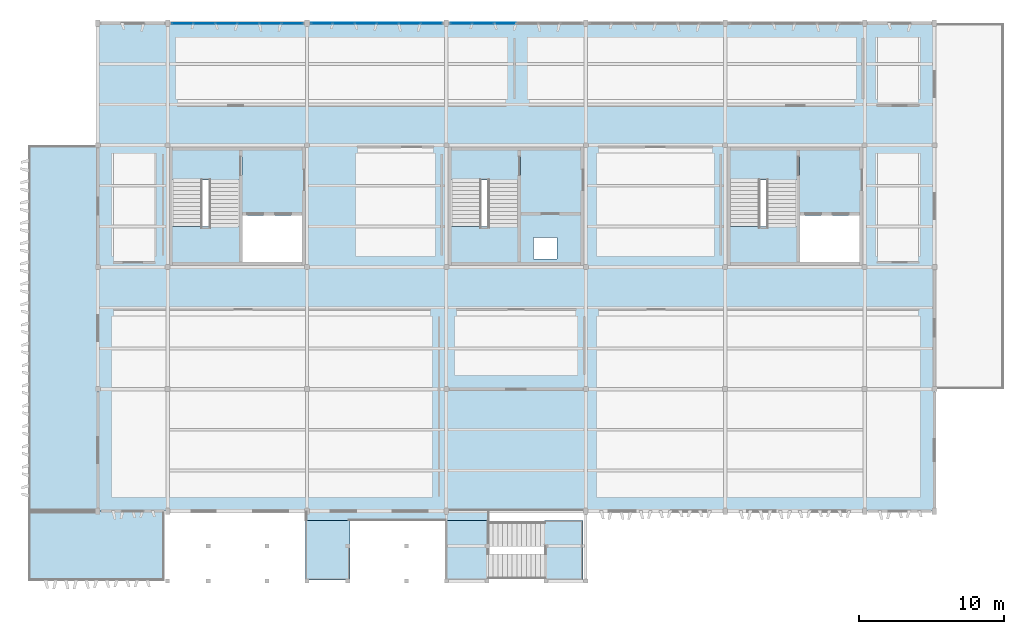
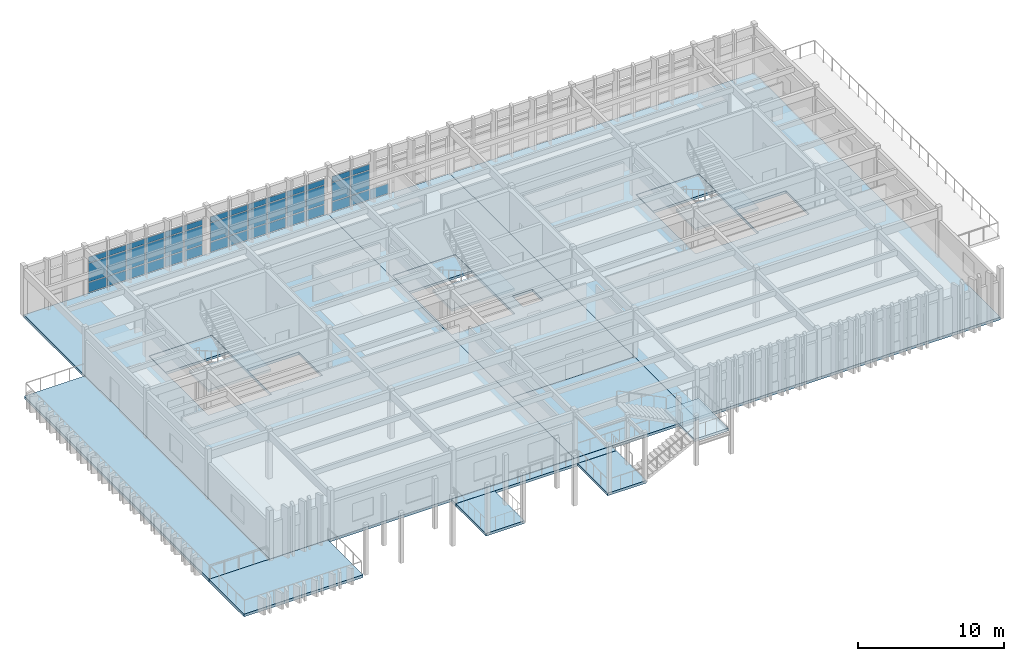
# One storey, part 6 of 14: 43 plates, 16 slabs, 7 elements without a shape of their own.
"""IFC4 building model written with IfcOpenShell, lengths in metres."""

from ifc_helpers import new_model, si_unit, direction, frame, origin, origin_2d, place, context, subcontext, project, spatial, polyline, rectangle, outline, extrude, material, layer, layer_set, type_object, element, aggregate, save


model = new_model("IFC4")

# Units and contexts
model_context = context("Model", 3, precision=1e-05, world=origin(), true_north=direction((0.0, 1.0)))
body_context = subcontext(model_context, "Body", "Model", "MODEL_VIEW")
ifc_project = project(units=[si_unit("LENGTHUNIT", "METRE"), si_unit("AREAUNIT", "SQUARE_METRE"), si_unit("VOLUMEUNIT", "CUBIC_METRE"), si_unit("PLANEANGLEUNIT", "RADIAN"), si_unit("MASSUNIT", "GRAM", prefix="KILO")], contexts=[model_context])

# Site, building, storey
site_placement = place(None, origin())
site = spatial("IfcSite", under=ifc_project, at=site_placement, CompositionType="ELEMENT")
building_placement = place(site_placement, origin())
building = spatial("IfcBuilding", under=site, at=building_placement, Name="Kolvemor Railside Polytechnic", CompositionType="ELEMENT")
storey_placement = place(building_placement, frame((0.0, 0.0, 22.800048828125)))
storey = spatial("IfcBuildingStorey", under=building, at=storey_placement, Name="L05", CompositionType="ELEMENT", Elevation=22.800048828125)

# Curtain wall, plates
ifc_material_1 = material(Name="Anodised marine aluminium and laminated low-E glass", Category="aluminium")
ifc_layer_1 = layer(ifc_material_1, 0.179931640625, Name="CW-UNIT-STD")
ifc_layer_set_1 = layer_set([ifc_layer_1], Name="Anodised marine aluminium and laminated low-E glass")
curtain_wall_type = type_object("IfcCurtainWallType", Name="CW-UNIT-STD", PredefinedType="USERDEFINED", material=ifc_layer_set_1)
curtain_wall_1_placement = place(storey_placement, origin())
curtain_wall_1 = element("IfcCurtainWall", 1, at=curtain_wall_1_placement, inside=storey, type_object=curtain_wall_type, Name="Curtain Wall L05-136", ObjectType="UNITISED CURTAIN WALL", PredefinedType="USERDEFINED")
ifc_material_2 = material(Name="Hurricane-laminated solar-control low-E glass", Category="glass")
ifc_layer_2 = layer(ifc_material_2, 0.035888671875, Name="CWP-GLZ-08")
ifc_layer_set_2 = layer_set([ifc_layer_2], Name="Hurricane-laminated solar-control low-E glass")
plate_type_1 = type_object("IfcPlateType", Name="CWP-GLZ-08", PredefinedType="CURTAIN_PANEL", material=ifc_layer_set_2)
plate_1_placement = place(storey_placement, frame((75.78369140625, 38.39990234375, 0.06494140625), z_axis=(0.0, 0.0, 1.0), x_axis=(-1.0, 0.0, 0.0)))
plate_1 = element("IfcPlate", 2, at=plate_1_placement, type_object=plate_type_1, Name="CW-STD panel 1.1", PredefinedType="CURTAIN_PANEL", context=body_context, shape_type="SweptSolid", body=[
    extrude(rectangle(XDim=1.422607421875, YDim=0.035888671875, at=origin_2d()), origin(), (0.0, 0.0, 1.0), 0.802490234375),
])
plate_2_placement = place(storey_placement, frame((75.78369140625, 38.39990234375, 0.9326171875), z_axis=(0.0, 0.0, 1.0), x_axis=(-1.0, 0.0, 0.0)))
plate_2 = element("IfcPlate", 3, at=plate_2_placement, type_object=plate_type_1, Name="CW-STD panel 1.2", PredefinedType="CURTAIN_PANEL", context=body_context, shape_type="SweptSolid", body=[
    extrude(rectangle(XDim=1.422607421875, YDim=0.035888671875, at=origin_2d()), origin(), (0.0, 0.0, 1.0), 1.554931640625),
])
plate_3_placement = place(storey_placement, frame((75.78369140625, 38.39990234375, 2.552734375), z_axis=(0.0, 0.0, 1.0), x_axis=(-1.0, 0.0, 0.0)))
plate_3 = element("IfcPlate", 4, at=plate_3_placement, type_object=plate_type_1, Name="CW-STD panel 1.3", PredefinedType="CURTAIN_PANEL", context=body_context, shape_type="SweptSolid", body=[
    extrude(rectangle(XDim=1.422607421875, YDim=0.035888671875, at=origin_2d()), origin(), (0.0, 0.0, 1.0), 0.452392578125),
])
plate_4_placement = place(storey_placement, frame((74.280029296875, 38.39990234375, 0.06494140625), z_axis=(0.0, 0.0, 1.0), x_axis=(-1.0, 0.0, 0.0)))
plate_4 = element("IfcPlate", 5, at=plate_4_placement, type_object=plate_type_1, Name="CW-STD panel 2.1", PredefinedType="CURTAIN_PANEL", context=body_context, shape_type="SweptSolid", body=[
    extrude(rectangle(XDim=1.455078125, YDim=0.035888671875, at=origin_2d()), origin(), (0.0, 0.0, 1.0), 0.802490234375),
])
plate_5_placement = place(storey_placement, frame((74.280029296875, 38.39990234375, 0.9326171875), z_axis=(0.0, 0.0, 1.0), x_axis=(-1.0, 0.0, 0.0)))
plate_5 = element("IfcPlate", 6, at=plate_5_placement, type_object=plate_type_1, Name="CW-STD panel 2.2", PredefinedType="CURTAIN_PANEL", context=body_context, shape_type="SweptSolid", body=[
    extrude(rectangle(XDim=1.455078125, YDim=0.035888671875, at=origin_2d()), origin(), (0.0, 0.0, 1.0), 1.554931640625),
])
plate_6_placement = place(storey_placement, frame((74.280029296875, 38.39990234375, 2.552734375), z_axis=(0.0, 0.0, 1.0), x_axis=(-1.0, 0.0, 0.0)))
plate_6 = element("IfcPlate", 7, at=plate_6_placement, type_object=plate_type_1, Name="CW-STD panel 2.3", PredefinedType="CURTAIN_PANEL", context=body_context, shape_type="SweptSolid", body=[
    extrude(rectangle(XDim=1.455078125, YDim=0.035888671875, at=origin_2d()), origin(), (0.0, 0.0, 1.0), 0.452392578125),
])
plate_7_placement = place(storey_placement, frame((72.760009765625, 38.39990234375, 0.06494140625), z_axis=(0.0, 0.0, 1.0), x_axis=(-1.0, 0.0, 0.0)))
plate_7 = element("IfcPlate", 8, at=plate_7_placement, type_object=plate_type_1, Name="CW-STD panel 3.1", PredefinedType="CURTAIN_PANEL", context=body_context, shape_type="SweptSolid", body=[
    extrude(rectangle(XDim=1.455078125, YDim=0.035888671875, at=origin_2d()), origin(), (0.0, 0.0, 1.0), 0.802490234375),
])
plate_8_placement = place(storey_placement, frame((72.760009765625, 38.39990234375, 0.9326171875), z_axis=(0.0, 0.0, 1.0), x_axis=(-1.0, 0.0, 0.0)))
plate_8 = element("IfcPlate", 9, at=plate_8_placement, type_object=plate_type_1, Name="CW-STD panel 3.2", PredefinedType="CURTAIN_PANEL", context=body_context, shape_type="SweptSolid", body=[
    extrude(rectangle(XDim=1.455078125, YDim=0.035888671875, at=origin_2d()), origin(), (0.0, 0.0, 1.0), 1.554931640625),
])
plate_9_placement = place(storey_placement, frame((72.760009765625, 38.39990234375, 2.552734375), z_axis=(0.0, 0.0, 1.0), x_axis=(-1.0, 0.0, 0.0)))
plate_9 = element("IfcPlate", 10, at=plate_9_placement, type_object=plate_type_1, Name="CW-STD panel 3.3", PredefinedType="CURTAIN_PANEL", context=body_context, shape_type="SweptSolid", body=[
    extrude(rectangle(XDim=1.455078125, YDim=0.035888671875, at=origin_2d()), origin(), (0.0, 0.0, 1.0), 0.452392578125),
])
plate_10_placement = place(storey_placement, frame((71.239990234375, 38.39990234375, 0.06494140625), z_axis=(0.0, 0.0, 1.0), x_axis=(-1.0, 0.0, 0.0)))
plate_10 = element("IfcPlate", 11, at=plate_10_placement, type_object=plate_type_1, Name="CW-STD panel 4.1", PredefinedType="CURTAIN_PANEL", context=body_context, shape_type="SweptSolid", body=[
    extrude(rectangle(XDim=1.455078125, YDim=0.035888671875, at=origin_2d()), origin(), (0.0, 0.0, 1.0), 0.802490234375),
])
plate_11_placement = place(storey_placement, frame((71.239990234375, 38.39990234375, 0.9326171875), z_axis=(0.0, 0.0, 1.0), x_axis=(-1.0, 0.0, 0.0)))
plate_11 = element("IfcPlate", 12, at=plate_11_placement, type_object=plate_type_1, Name="CW-STD panel 4.2", PredefinedType="CURTAIN_PANEL", context=body_context, shape_type="SweptSolid", body=[
    extrude(rectangle(XDim=1.455078125, YDim=0.035888671875, at=origin_2d()), origin(), (0.0, 0.0, 1.0), 1.554931640625),
])
plate_12_placement = place(storey_placement, frame((71.239990234375, 38.39990234375, 2.552734375), z_axis=(0.0, 0.0, 1.0), x_axis=(-1.0, 0.0, 0.0)))
plate_12 = element("IfcPlate", 13, at=plate_12_placement, type_object=plate_type_1, Name="CW-STD panel 4.3", PredefinedType="CURTAIN_PANEL", context=body_context, shape_type="SweptSolid", body=[
    extrude(rectangle(XDim=1.455078125, YDim=0.035888671875, at=origin_2d()), origin(), (0.0, 0.0, 1.0), 0.452392578125),
])
plate_13_placement = place(storey_placement, frame((69.719970703125, 38.39990234375, 0.06494140625), z_axis=(0.0, 0.0, 1.0), x_axis=(-1.0, 0.0, 0.0)))
plate_13 = element("IfcPlate", 14, at=plate_13_placement, type_object=plate_type_1, Name="CW-STD panel 5.1", PredefinedType="CURTAIN_PANEL", context=body_context, shape_type="SweptSolid", body=[
    extrude(rectangle(XDim=1.455078125, YDim=0.035888671875, at=origin_2d()), origin(), (0.0, 0.0, 1.0), 0.802490234375),
])
plate_14_placement = place(storey_placement, frame((69.719970703125, 38.39990234375, 0.9326171875), z_axis=(0.0, 0.0, 1.0), x_axis=(-1.0, 0.0, 0.0)))
plate_14 = element("IfcPlate", 15, at=plate_14_placement, type_object=plate_type_1, Name="CW-STD panel 5.2", PredefinedType="CURTAIN_PANEL", context=body_context, shape_type="SweptSolid", body=[
    extrude(rectangle(XDim=1.455078125, YDim=0.035888671875, at=origin_2d()), origin(), (0.0, 0.0, 1.0), 1.554931640625),
])
plate_15_placement = place(storey_placement, frame((69.719970703125, 38.39990234375, 2.552734375), z_axis=(0.0, 0.0, 1.0), x_axis=(-1.0, 0.0, 0.0)))
plate_15 = element("IfcPlate", 16, at=plate_15_placement, type_object=plate_type_1, Name="CW-STD panel 5.3", PredefinedType="CURTAIN_PANEL", context=body_context, shape_type="SweptSolid", body=[
    extrude(rectangle(XDim=1.455078125, YDim=0.035888671875, at=origin_2d()), origin(), (0.0, 0.0, 1.0), 0.452392578125),
])
plate_16_placement = place(storey_placement, frame((68.21630859375, 38.39990234375, 0.06494140625), z_axis=(0.0, 0.0, 1.0), x_axis=(-1.0, 0.0, 0.0)))
plate_16 = element("IfcPlate", 17, at=plate_16_placement, type_object=plate_type_1, Name="CW-STD panel 6.1", PredefinedType="CURTAIN_PANEL", context=body_context, shape_type="SweptSolid", body=[
    extrude(rectangle(XDim=1.422607421875, YDim=0.035888671875, at=origin_2d()), origin(), (0.0, 0.0, 1.0), 0.802490234375),
])
plate_17_placement = place(storey_placement, frame((68.21630859375, 38.39990234375, 0.9326171875), z_axis=(0.0, 0.0, 1.0), x_axis=(-1.0, 0.0, 0.0)))
plate_17 = element("IfcPlate", 18, at=plate_17_placement, type_object=plate_type_1, Name="CW-STD panel 6.2", PredefinedType="CURTAIN_PANEL", context=body_context, shape_type="SweptSolid", body=[
    extrude(rectangle(XDim=1.422607421875, YDim=0.035888671875, at=origin_2d()), origin(), (0.0, 0.0, 1.0), 1.554931640625),
])
plate_18_placement = place(storey_placement, frame((68.21630859375, 38.39990234375, 2.552734375), z_axis=(0.0, 0.0, 1.0), x_axis=(-1.0, 0.0, 0.0)))
plate_18 = element("IfcPlate", 19, at=plate_18_placement, type_object=plate_type_1, Name="CW-STD panel 6.3", PredefinedType="CURTAIN_PANEL", context=body_context, shape_type="SweptSolid", body=[
    extrude(rectangle(XDim=1.422607421875, YDim=0.035888671875, at=origin_2d()), origin(), (0.0, 0.0, 1.0), 0.452392578125),
])
aggregate(curtain_wall_1, [plate_1, plate_2, plate_3, plate_4, plate_5, plate_6, plate_7, plate_8, plate_9, plate_10, plate_11, plate_12, plate_13, plate_14, plate_15, plate_16, plate_17, plate_18])

curtain_wall_2_placement = place(storey_placement, origin())
curtain_wall_2 = element("IfcCurtainWall", 20, at=curtain_wall_2_placement, inside=storey, type_object=curtain_wall_type, Name="Curtain Wall L05-137", ObjectType="UNITISED CURTAIN WALL", PredefinedType="USERDEFINED")
ifc_material_3 = material(Name="Hurricane-laminated solar-control low-E glass", Category="glass")
ifc_layer_3 = layer(ifc_material_3, 0.0380859375, Name="CWP-GLZ-09")
ifc_layer_set_3 = layer_set([ifc_layer_3], Name="Hurricane-laminated solar-control low-E glass")
plate_type_2 = type_object("IfcPlateType", Name="CWP-GLZ-09", PredefinedType="CURTAIN_PANEL", material=ifc_layer_set_3)
plate_19_placement = place(storey_placement, frame((85.3837890625, 38.39990234375, 0.06494140625), z_axis=(0.0, 0.0, 1.0), x_axis=(-1.0, 0.0, 0.0)))
plate_19 = element("IfcPlate", 21, at=plate_19_placement, type_object=plate_type_2, Name="CW-STD panel 1.1", PredefinedType="CURTAIN_PANEL", context=body_context, shape_type="SweptSolid", body=[
    extrude(rectangle(XDim=1.422607421875, YDim=0.0380859375, at=origin_2d()), origin(), (0.0, 0.0, 1.0), 0.802490234375),
])
plate_20_placement = place(storey_placement, frame((85.3837890625, 38.39990234375, 0.9326171875), z_axis=(0.0, 0.0, 1.0), x_axis=(-1.0, 0.0, 0.0)))
plate_20 = element("IfcPlate", 22, at=plate_20_placement, type_object=plate_type_2, Name="CW-STD panel 1.2", PredefinedType="CURTAIN_PANEL", context=body_context, shape_type="SweptSolid", body=[
    extrude(rectangle(XDim=1.422607421875, YDim=0.0380859375, at=origin_2d()), origin(), (0.0, 0.0, 1.0), 1.554931640625),
])
plate_21_placement = place(storey_placement, frame((85.3837890625, 38.39990234375, 2.552734375), z_axis=(0.0, 0.0, 1.0), x_axis=(-1.0, 0.0, 0.0)))
plate_21 = element("IfcPlate", 23, at=plate_21_placement, type_object=plate_type_2, Name="CW-STD panel 1.3", PredefinedType="CURTAIN_PANEL", context=body_context, shape_type="SweptSolid", body=[
    extrude(rectangle(XDim=1.422607421875, YDim=0.0380859375, at=origin_2d()), origin(), (0.0, 0.0, 1.0), 0.452392578125),
])
plate_22_placement = place(storey_placement, frame((83.8798828125, 38.39990234375, 0.06494140625), z_axis=(0.0, 0.0, 1.0), x_axis=(-1.0, 0.0, 0.0)))
plate_22 = element("IfcPlate", 24, at=plate_22_placement, type_object=plate_type_2, Name="CW-STD panel 2.1", PredefinedType="CURTAIN_PANEL", context=body_context, shape_type="SweptSolid", body=[
    extrude(rectangle(XDim=1.455078125, YDim=0.0380859375, at=origin_2d()), origin(), (0.0, 0.0, 1.0), 0.802490234375),
])
plate_23_placement = place(storey_placement, frame((83.8798828125, 38.39990234375, 0.9326171875), z_axis=(0.0, 0.0, 1.0), x_axis=(-1.0, 0.0, 0.0)))
plate_23 = element("IfcPlate", 25, at=plate_23_placement, type_object=plate_type_2, Name="CW-STD panel 2.2", PredefinedType="CURTAIN_PANEL", context=body_context, shape_type="SweptSolid", body=[
    extrude(rectangle(XDim=1.455078125, YDim=0.0380859375, at=origin_2d()), origin(), (0.0, 0.0, 1.0), 1.554931640625),
])
plate_24_placement = place(storey_placement, frame((83.8798828125, 38.39990234375, 2.552734375), z_axis=(0.0, 0.0, 1.0), x_axis=(-1.0, 0.0, 0.0)))
plate_24 = element("IfcPlate", 26, at=plate_24_placement, type_object=plate_type_2, Name="CW-STD panel 2.3", PredefinedType="CURTAIN_PANEL", context=body_context, shape_type="SweptSolid", body=[
    extrude(rectangle(XDim=1.455078125, YDim=0.0380859375, at=origin_2d()), origin(), (0.0, 0.0, 1.0), 0.452392578125),
])
plate_25_placement = place(storey_placement, frame((82.360107421875, 38.39990234375, 0.06494140625), z_axis=(0.0, 0.0, 1.0), x_axis=(-1.0, 0.0, 0.0)))
plate_25 = element("IfcPlate", 27, at=plate_25_placement, type_object=plate_type_2, Name="CW-STD panel 3.1", PredefinedType="CURTAIN_PANEL", context=body_context, shape_type="SweptSolid", body=[
    extrude(rectangle(XDim=1.455078125, YDim=0.0380859375, at=origin_2d()), origin(), (0.0, 0.0, 1.0), 0.802490234375),
])
plate_26_placement = place(storey_placement, frame((82.360107421875, 38.39990234375, 0.9326171875), z_axis=(0.0, 0.0, 1.0), x_axis=(-1.0, 0.0, 0.0)))
plate_26 = element("IfcPlate", 28, at=plate_26_placement, type_object=plate_type_2, Name="CW-STD panel 3.2", PredefinedType="CURTAIN_PANEL", context=body_context, shape_type="SweptSolid", body=[
    extrude(rectangle(XDim=1.455078125, YDim=0.0380859375, at=origin_2d()), origin(), (0.0, 0.0, 1.0), 1.554931640625),
])
plate_27_placement = place(storey_placement, frame((82.360107421875, 38.39990234375, 2.552734375), z_axis=(0.0, 0.0, 1.0), x_axis=(-1.0, 0.0, 0.0)))
plate_27 = element("IfcPlate", 29, at=plate_27_placement, type_object=plate_type_2, Name="CW-STD panel 3.3", PredefinedType="CURTAIN_PANEL", context=body_context, shape_type="SweptSolid", body=[
    extrude(rectangle(XDim=1.455078125, YDim=0.0380859375, at=origin_2d()), origin(), (0.0, 0.0, 1.0), 0.452392578125),
])
plate_28_placement = place(storey_placement, frame((80.840087890625, 38.39990234375, 0.06494140625), z_axis=(0.0, 0.0, 1.0), x_axis=(-1.0, 0.0, 0.0)))
plate_28 = element("IfcPlate", 30, at=plate_28_placement, type_object=plate_type_2, Name="CW-STD panel 4.1", PredefinedType="CURTAIN_PANEL", context=body_context, shape_type="SweptSolid", body=[
    extrude(rectangle(XDim=1.455078125, YDim=0.0380859375, at=origin_2d()), origin(), (0.0, 0.0, 1.0), 0.802490234375),
])
plate_29_placement = place(storey_placement, frame((80.840087890625, 38.39990234375, 0.9326171875), z_axis=(0.0, 0.0, 1.0), x_axis=(-1.0, 0.0, 0.0)))
plate_29 = element("IfcPlate", 31, at=plate_29_placement, type_object=plate_type_2, Name="CW-STD panel 4.2", PredefinedType="CURTAIN_PANEL", context=body_context, shape_type="SweptSolid", body=[
    extrude(rectangle(XDim=1.455078125, YDim=0.0380859375, at=origin_2d()), origin(), (0.0, 0.0, 1.0), 1.554931640625),
])
plate_30_placement = place(storey_placement, frame((80.840087890625, 38.39990234375, 2.552734375), z_axis=(0.0, 0.0, 1.0), x_axis=(-1.0, 0.0, 0.0)))
plate_30 = element("IfcPlate", 32, at=plate_30_placement, type_object=plate_type_2, Name="CW-STD panel 4.3", PredefinedType="CURTAIN_PANEL", context=body_context, shape_type="SweptSolid", body=[
    extrude(rectangle(XDim=1.455078125, YDim=0.0380859375, at=origin_2d()), origin(), (0.0, 0.0, 1.0), 0.452392578125),
])
plate_31_placement = place(storey_placement, frame((79.320068359375, 38.39990234375, 0.06494140625), z_axis=(0.0, 0.0, 1.0), x_axis=(-1.0, 0.0, 0.0)))
plate_31 = element("IfcPlate", 33, at=plate_31_placement, type_object=plate_type_2, Name="CW-STD panel 5.1", PredefinedType="CURTAIN_PANEL", context=body_context, shape_type="SweptSolid", body=[
    extrude(rectangle(XDim=1.455078125, YDim=0.0380859375, at=origin_2d()), origin(), (0.0, 0.0, 1.0), 0.802490234375),
])
plate_32_placement = place(storey_placement, frame((79.320068359375, 38.39990234375, 0.9326171875), z_axis=(0.0, 0.0, 1.0), x_axis=(-1.0, 0.0, 0.0)))
plate_32 = element("IfcPlate", 34, at=plate_32_placement, type_object=plate_type_2, Name="CW-STD panel 5.2", PredefinedType="CURTAIN_PANEL", context=body_context, shape_type="SweptSolid", body=[
    extrude(rectangle(XDim=1.455078125, YDim=0.0380859375, at=origin_2d()), origin(), (0.0, 0.0, 1.0), 1.554931640625),
])
plate_33_placement = place(storey_placement, frame((79.320068359375, 38.39990234375, 2.552734375), z_axis=(0.0, 0.0, 1.0), x_axis=(-1.0, 0.0, 0.0)))
plate_33 = element("IfcPlate", 35, at=plate_33_placement, type_object=plate_type_2, Name="CW-STD panel 5.3", PredefinedType="CURTAIN_PANEL", context=body_context, shape_type="SweptSolid", body=[
    extrude(rectangle(XDim=1.455078125, YDim=0.0380859375, at=origin_2d()), origin(), (0.0, 0.0, 1.0), 0.452392578125),
])
plate_34_placement = place(storey_placement, frame((77.816162109375, 38.39990234375, 0.06494140625), z_axis=(0.0, 0.0, 1.0), x_axis=(-1.0, 0.0, 0.0)))
plate_34 = element("IfcPlate", 36, at=plate_34_placement, type_object=plate_type_2, Name="CW-STD panel 6.1", PredefinedType="CURTAIN_PANEL", context=body_context, shape_type="SweptSolid", body=[
    extrude(rectangle(XDim=1.422607421875, YDim=0.0380859375, at=origin_2d()), origin(), (0.0, 0.0, 1.0), 0.802490234375),
])
plate_35_placement = place(storey_placement, frame((77.816162109375, 38.39990234375, 0.9326171875), z_axis=(0.0, 0.0, 1.0), x_axis=(-1.0, 0.0, 0.0)))
plate_35 = element("IfcPlate", 37, at=plate_35_placement, type_object=plate_type_2, Name="CW-STD panel 6.2", PredefinedType="CURTAIN_PANEL", context=body_context, shape_type="SweptSolid", body=[
    extrude(rectangle(XDim=1.422607421875, YDim=0.0380859375, at=origin_2d()), origin(), (0.0, 0.0, 1.0), 1.554931640625),
])
plate_36_placement = place(storey_placement, frame((77.816162109375, 38.39990234375, 2.552734375), z_axis=(0.0, 0.0, 1.0), x_axis=(-1.0, 0.0, 0.0)))
plate_36 = element("IfcPlate", 38, at=plate_36_placement, type_object=plate_type_2, Name="CW-STD panel 6.3", PredefinedType="CURTAIN_PANEL", context=body_context, shape_type="SweptSolid", body=[
    extrude(rectangle(XDim=1.422607421875, YDim=0.0380859375, at=origin_2d()), origin(), (0.0, 0.0, 1.0), 0.452392578125),
])
aggregate(curtain_wall_2, [plate_19, plate_20, plate_21, plate_22, plate_23, plate_24, plate_25, plate_26, plate_27, plate_28, plate_29, plate_30, plate_31, plate_32, plate_33, plate_34, plate_35, plate_36])

curtain_wall_3_placement = place(storey_placement, origin())
curtain_wall_3 = element("IfcCurtainWall", 39, at=curtain_wall_3_placement, inside=storey, type_object=curtain_wall_type, Name="Curtain Wall L05-138", ObjectType="UNITISED CURTAIN WALL", PredefinedType="USERDEFINED")
ifc_material_4 = material(Name="Hurricane-laminated solar-control low-E glass", Category="glass")
ifc_layer_4 = layer(ifc_material_4, 0.0400390625, Name="CWP-GLZ-10")
ifc_layer_set_4 = layer_set([ifc_layer_4], Name="Hurricane-laminated solar-control low-E glass")
plate_type_3 = type_object("IfcPlateType", Name="CWP-GLZ-10", PredefinedType="CURTAIN_PANEL", material=ifc_layer_set_4)
plate_37_placement = place(storey_placement, frame((90.43994140625, 38.39990234375, 0.06494140625), z_axis=(0.0, 0.0, 1.0), x_axis=(-1.0, 0.0, 0.0)))
plate_37 = element("IfcPlate", 40, at=plate_37_placement, type_object=plate_type_3, Name="CW-STD panel 4.1", PredefinedType="CURTAIN_PANEL", context=body_context, shape_type="SweptSolid", body=[
    extrude(rectangle(XDim=1.455078125, YDim=0.0400390625, at=origin_2d()), origin(), (0.0, 0.0, 1.0), 0.802490234375),
])
plate_38_placement = place(storey_placement, frame((88.919921875, 38.39990234375, 0.06494140625), z_axis=(0.0, 0.0, 1.0), x_axis=(-1.0, 0.0, 0.0)))
plate_38 = element("IfcPlate", 41, at=plate_38_placement, type_object=plate_type_3, Name="CW-STD panel 5.1", PredefinedType="CURTAIN_PANEL", context=body_context, shape_type="SweptSolid", body=[
    extrude(rectangle(XDim=1.455078125, YDim=0.0400390625, at=origin_2d()), origin(), (0.0, 0.0, 1.0), 0.802490234375),
])
plate_39_placement = place(storey_placement, frame((88.919921875, 38.39990234375, 0.9326171875), z_axis=(0.0, 0.0, 1.0), x_axis=(-1.0, 0.0, 0.0)))
plate_39 = element("IfcPlate", 42, at=plate_39_placement, type_object=plate_type_3, Name="CW-STD panel 5.2", PredefinedType="CURTAIN_PANEL", context=body_context, shape_type="SweptSolid", body=[
    extrude(rectangle(XDim=1.455078125, YDim=0.0400390625, at=origin_2d()), origin(), (0.0, 0.0, 1.0), 1.554931640625),
])
plate_40_placement = place(storey_placement, frame((88.919921875, 38.39990234375, 2.552734375), z_axis=(0.0, 0.0, 1.0), x_axis=(-1.0, 0.0, 0.0)))
plate_40 = element("IfcPlate", 43, at=plate_40_placement, type_object=plate_type_3, Name="CW-STD panel 5.3", PredefinedType="CURTAIN_PANEL", context=body_context, shape_type="SweptSolid", body=[
    extrude(rectangle(XDim=1.455078125, YDim=0.0400390625, at=origin_2d()), origin(), (0.0, 0.0, 1.0), 0.452392578125),
])
plate_41_placement = place(storey_placement, frame((87.416259765625, 38.39990234375, 0.06494140625), z_axis=(0.0, 0.0, 1.0), x_axis=(-1.0, 0.0, 0.0)))
plate_41 = element("IfcPlate", 44, at=plate_41_placement, type_object=plate_type_3, Name="CW-STD panel 6.1", PredefinedType="CURTAIN_PANEL", context=body_context, shape_type="SweptSolid", body=[
    extrude(rectangle(XDim=1.422607421875, YDim=0.0400390625, at=origin_2d()), origin(), (0.0, 0.0, 1.0), 0.802490234375),
])
plate_42_placement = place(storey_placement, frame((87.416259765625, 38.39990234375, 0.9326171875), z_axis=(0.0, 0.0, 1.0), x_axis=(-1.0, 0.0, 0.0)))
plate_42 = element("IfcPlate", 45, at=plate_42_placement, type_object=plate_type_3, Name="CW-STD panel 6.2", PredefinedType="CURTAIN_PANEL", context=body_context, shape_type="SweptSolid", body=[
    extrude(rectangle(XDim=1.422607421875, YDim=0.0400390625, at=origin_2d()), origin(), (0.0, 0.0, 1.0), 1.554931640625),
])
plate_43_placement = place(storey_placement, frame((87.416259765625, 38.39990234375, 2.552734375), z_axis=(0.0, 0.0, 1.0), x_axis=(-1.0, 0.0, 0.0)))
plate_43 = element("IfcPlate", 46, at=plate_43_placement, type_object=plate_type_3, Name="CW-STD panel 6.3", PredefinedType="CURTAIN_PANEL", context=body_context, shape_type="SweptSolid", body=[
    extrude(rectangle(XDim=1.422607421875, YDim=0.0400390625, at=origin_2d()), origin(), (0.0, 0.0, 1.0), 0.452392578125),
])
aggregate(curtain_wall_3, [plate_37, plate_38, plate_39, plate_40, plate_41, plate_42, plate_43])

# Slabs
ifc_material_5 = material(Name="Cross-laminated timber CLT E1", Category="wood")
ifc_layer_5 = layer(ifc_material_5, 0.22509765625, Name="SLB-CLT-225")
ifc_layer_set_5 = layer_set([ifc_layer_5], Name="Cross-laminated timber CLT E1")
slab_type_1 = type_object("IfcSlabType", Name="SLB-CLT-225", PredefinedType="FLOOR", material=ifc_layer_set_5)
slab_1_placement = place(storey_placement, frame((0.0, 0.0, -0.22509765625)))
element("IfcSlab", 47, at=slab_1_placement, inside=storey, type_object=slab_type_1, Name="V2 Shifted Band L05 CLT Slab L05-83", PredefinedType="FLOOR", context=body_context, shape_type="SweptSolid", body=[
    extrude(outline(polyline([(62.39990234375, 4.800048828125), (86.39990234375, 4.800048828125), (86.39990234375, 38.39990234375), (62.39990234375, 38.39990234375), (62.39990234375, 4.800048828125)]), holes=[polyline([(67.340087890625, 21.739990234375), (72.31005859375, 21.739990234375), (72.31005859375, 29.860107421875), (67.340087890625, 29.860107421875), (67.340087890625, 21.739990234375)]), polyline([(72.35009765625, 21.949951171875), (76.449951171875, 21.949951171875), (76.449951171875, 25.14990234375), (72.35009765625, 25.14990234375), (72.35009765625, 21.949951171875)])]), origin(), (0.0, 0.0, 1.0), 0.22509765625),
])
slab_2_placement = place(storey_placement, frame((0.0, 0.0, -0.22509765625)))
element("IfcSlab", 48, at=slab_2_placement, inside=storey, type_object=slab_type_1, Name="V2 Shifted Band L05 CLT Slab L05-84", PredefinedType="FLOOR", context=body_context, shape_type="SweptSolid", body=[
    extrude(outline(polyline([(86.39990234375, 13.199951171875), (96.0, 13.199951171875), (96.0, 38.39990234375), (86.39990234375, 38.39990234375), (86.39990234375, 13.199951171875)]), holes=[polyline([(86.5400390625, 21.739990234375), (91.510009765625, 21.739990234375), (91.510009765625, 29.860107421875), (86.5400390625, 29.860107421875), (86.5400390625, 21.739990234375)]), polyline([(92.39990234375, 22.14990234375), (94.0, 22.14990234375), (94.0, 23.64990234375), (92.39990234375, 23.64990234375), (92.39990234375, 22.14990234375)])]), origin(), (0.0, 0.0, 1.0), 0.22509765625),
])
slab_3_placement = place(storey_placement, frame((0.0, 0.0, -0.22509765625)))
element("IfcSlab", 49, at=slab_3_placement, inside=storey, type_object=slab_type_1, Name="V2 Shifted Band L05 CLT Slab L05-85", PredefinedType="FLOOR", context=body_context, shape_type="SweptSolid", body=[
    extrude(outline(polyline([(96.0, 4.800048828125), (120.0, 4.800048828125), (120.0, 38.39990234375), (96.0, 38.39990234375), (96.0, 4.800048828125)]), holes=[polyline([(105.739990234375, 21.739990234375), (110.7099609375, 21.739990234375), (110.7099609375, 29.860107421875), (105.739990234375, 29.860107421875), (105.739990234375, 21.739990234375)]), polyline([(110.75, 21.949951171875), (114.85009765625, 21.949951171875), (114.85009765625, 25.14990234375), (110.75, 25.14990234375), (110.75, 21.949951171875)])]), origin(), (0.0, 0.0, 1.0), 0.22509765625),
])
ifc_material_6 = material(Name="Concrete C40/50", Category="concrete")
ifc_layer_6 = layer(ifc_material_6, 0.219970703125, Name="SLB-LND-170")
ifc_layer_set_6 = layer_set([ifc_layer_6], Name="Concrete C40/50")
slab_type_2 = type_object("IfcSlabType", Name="SLB-LND-170", PredefinedType="LANDING", material=ifc_layer_set_6)
slab_4_placement = place(storey_placement, frame((0.0, 0.0, -0.219970703125)))
element("IfcSlab", 50, at=slab_4_placement, inside=storey, type_object=slab_type_2, Name="External Zigzag Stair Arrival Landing L05", PredefinedType="LANDING", context=body_context, shape_type="SweptSolid", body=[
    extrude(outline(polyline([(76.699951171875, 0.050048828125), (79.75, 0.050048828125), (79.75, 4.14990234375), (76.699951171875, 4.14990234375), (76.699951171875, 0.050048828125)])), origin(), (0.0, 0.0, 1.0), 0.219970703125),
])
slab_5_placement = place(storey_placement, frame((0.0, 0.0, -0.219970703125)))
element("IfcSlab", 51, at=slab_5_placement, inside=storey, type_object=slab_type_2, Name="External Zigzag Stair Departure Landing L05", PredefinedType="LANDING", context=body_context, shape_type="SweptSolid", body=[
    extrude(outline(polyline([(86.300048828125, 0.050048828125), (89.35009765625, 0.050048828125), (89.35009765625, 4.14990234375), (86.300048828125, 4.14990234375), (86.300048828125, 0.050048828125)])), origin(), (0.0, 0.0, 1.0), 0.219970703125),
])
slab_6_placement = place(storey_placement, frame((0.0, 0.0, -0.219970703125)))
element("IfcSlab", 52, at=slab_6_placement, inside=storey, type_object=slab_type_2, Name="External Zigzag Rear Gallery L05-1", PredefinedType="LANDING", context=body_context, shape_type="SweptSolid", body=[
    extrude(outline(polyline([(76.699951171875, 4.159912109375), (89.35009765625, 4.159912109375), (89.35009765625, 4.780029296875), (76.699951171875, 4.780029296875), (76.699951171875, 4.159912109375)])), origin(), (0.0, 0.0, 1.0), 0.219970703125),
])

# Stair, slab
ifc_material_7 = material(Name="Steel S355", Category="steel")
stair_type_1 = type_object("IfcStairType", Name="STR-EXT-ZIG", PredefinedType="HALF_TURN_STAIR", material=ifc_material_7)
stair_1_placement = place(storey_placement, origin())
stair_1 = element("IfcStair", 53, at=stair_1_placement, inside=storey, type_object=stair_type_1, Name="External Zigzag Terrace Stair (L05 to L06)", PredefinedType="HALF_TURN_STAIR")
slab_7_placement = place(storey_placement, frame((0.0, 0.0, 1.8798828125)))
slab_7 = element("IfcSlab", 54, at=slab_7_placement, type_object=slab_type_2, Name="ST-EXT-L05 landing 1", PredefinedType="LANDING", context=body_context, shape_type="SweptSolid", body=[
    extrude(outline(polyline([(93.14990234375, 0.050048828125), (95.820068359375, 0.050048828125), (95.820068359375, 4.14990234375), (93.14990234375, 4.14990234375), (93.14990234375, 0.050048828125)])), origin(), (0.0, 0.0, 1.0), 0.219970703125),
])
aggregate(stair_1, [slab_7])

# Slab
ifc_material_8 = material(Name="Concrete C40/50", Category="concrete")
ifc_layer_7 = layer(ifc_material_8, 0.199951171875, Name="SLB-LND-200")
ifc_layer_set_7 = layer_set([ifc_layer_7], Name="Concrete C40/50")
slab_type_3 = type_object("IfcSlabType", Name="SLB-LND-200", PredefinedType="LANDING", material=ifc_layer_set_7)
slab_8_placement = place(storey_placement, frame((0.0, 0.0, -0.199951171875)))
element("IfcSlab", 55, at=slab_8_placement, inside=storey, type_object=slab_type_3, Name="ST-1 Floor Landing L05", PredefinedType="LANDING", context=body_context, shape_type="SweptSolid", body=[
    extrude(outline(polyline([(67.360107421875, 27.60009765625), (72.2900390625, 27.60009765625), (72.2900390625, 29.840087890625), (67.360107421875, 29.840087890625), (67.360107421875, 27.60009765625)])), origin(), (0.0, 0.0, 1.0), 0.199951171875),
])

# Stair, slab
ifc_material_9 = material(Name="Concrete C40/50", Category="concrete")
stair_type_2 = type_object("IfcStairType", Name="STR-CORE-420", PredefinedType="HALF_TURN_STAIR", material=ifc_material_9)
stair_2_placement = place(storey_placement, origin())
stair_2 = element("IfcStair", 56, at=stair_2_placement, inside=storey, type_object=stair_type_2, Name="Core Stair ST-1 (L05 to L06)", PredefinedType="HALF_TURN_STAIR")
slab_9_placement = place(storey_placement, frame((0.0, 0.0, 1.89990234375)))
slab_9 = element("IfcSlab", 57, at=slab_9_placement, type_object=slab_type_3, Name="ST-1-L05 landing 1", PredefinedType="LANDING", context=body_context, shape_type="SweptSolid", body=[
    extrude(outline(polyline([(67.35009765625, 21.75), (72.300048828125, 21.75), (72.300048828125, 24.39990234375), (67.35009765625, 24.39990234375), (67.35009765625, 21.75)])), origin(), (0.0, 0.0, 1.0), 0.199951171875),
])
aggregate(stair_2, [slab_9])

# Slab
slab_10_placement = place(storey_placement, frame((0.0, 0.0, -0.199951171875)))
element("IfcSlab", 58, at=slab_10_placement, inside=storey, type_object=slab_type_3, Name="ST-2 Floor Landing L05", PredefinedType="LANDING", context=body_context, shape_type="SweptSolid", body=[
    extrude(outline(polyline([(105.760009765625, 27.60009765625), (110.68994140625, 27.60009765625), (110.68994140625, 29.840087890625), (105.760009765625, 29.840087890625), (105.760009765625, 27.60009765625)])), origin(), (0.0, 0.0, 1.0), 0.199951171875),
])

# Stair, slab
stair_3_placement = place(storey_placement, origin())
stair_3 = element("IfcStair", 59, at=stair_3_placement, inside=storey, type_object=stair_type_2, Name="Core Stair ST-2 (L05 to L06)", PredefinedType="HALF_TURN_STAIR")
slab_11_placement = place(storey_placement, frame((0.0, 0.0, 1.89990234375)))
slab_11 = element("IfcSlab", 60, at=slab_11_placement, type_object=slab_type_3, Name="ST-2-L05 landing 1", PredefinedType="LANDING", context=body_context, shape_type="SweptSolid", body=[
    extrude(outline(polyline([(105.75, 21.75), (110.699951171875, 21.75), (110.699951171875, 24.39990234375), (105.75, 24.39990234375), (105.75, 21.75)])), origin(), (0.0, 0.0, 1.0), 0.199951171875),
])
aggregate(stair_3, [slab_11])

# Slab
slab_12_placement = place(storey_placement, frame((0.0, 0.0, -0.199951171875)))
element("IfcSlab", 61, at=slab_12_placement, inside=storey, type_object=slab_type_3, Name="ST-3 Floor Landing L05", PredefinedType="LANDING", context=body_context, shape_type="SweptSolid", body=[
    extrude(outline(polyline([(86.56005859375, 27.60009765625), (91.489990234375, 27.60009765625), (91.489990234375, 29.840087890625), (86.56005859375, 29.840087890625), (86.56005859375, 27.60009765625)])), origin(), (0.0, 0.0, 1.0), 0.199951171875),
])

# Stair, slab
stair_4_placement = place(storey_placement, origin())
stair_4 = element("IfcStair", 62, at=stair_4_placement, inside=storey, type_object=stair_type_2, Name="Core Stair ST-3 (L05 to L06)", PredefinedType="HALF_TURN_STAIR")
slab_13_placement = place(storey_placement, frame((0.0, 0.0, 1.89990234375)))
slab_13 = element("IfcSlab", 63, at=slab_13_placement, type_object=slab_type_3, Name="ST-3-L05 landing 1", PredefinedType="LANDING", context=body_context, shape_type="SweptSolid", body=[
    extrude(outline(polyline([(86.550048828125, 21.75), (91.5, 21.75), (91.5, 24.39990234375), (86.550048828125, 24.39990234375), (86.550048828125, 21.75)])), origin(), (0.0, 0.0, 1.0), 0.199951171875),
])
aggregate(stair_4, [slab_13])

# Slabs
ifc_material_10 = material(Name="Cross-laminated timber CLT E1", Category="wood")
ifc_layer_8 = layer(ifc_material_10, 0.22998046875, Name="SLB-TER-230")
ifc_layer_set_8 = layer_set([ifc_layer_8], Name="Cross-laminated timber CLT E1")
slab_type_4 = type_object("IfcSlabType", Name="SLB-TER-230", PredefinedType="FLOOR", material=ifc_layer_set_8)
slab_14_placement = place(storey_placement, frame((0.0, 0.0, -0.22998046875)))
element("IfcSlab", 64, at=slab_14_placement, inside=storey, type_object=slab_type_4, Name="Shifted West Cantilever Terrace L05 L05-99", PredefinedType="FLOOR", context=body_context, shape_type="SweptSolid", body=[
    extrude(outline(polyline([(57.60009765625, 4.800048828125), (62.39990234375, 4.800048828125), (62.39990234375, 30.0), (57.60009765625, 30.0), (57.60009765625, 4.800048828125)])), origin(), (0.0, 0.0, 1.0), 0.22998046875),
])
slab_15_placement = place(storey_placement, frame((0.0, 0.0, -0.22998046875)))
element("IfcSlab", 65, at=slab_15_placement, inside=storey, type_object=slab_type_4, Name="Shifted South-West Terrace L05 L05-100", PredefinedType="FLOOR", context=body_context, shape_type="SweptSolid", body=[
    extrude(outline(polyline([(57.60009765625, 0.0), (67.0, 0.0), (67.0, 4.800048828125), (57.60009765625, 4.800048828125), (57.60009765625, 0.0)])), origin(), (0.0, 0.0, 1.0), 0.22998046875),
])
slab_16_placement = place(storey_placement, frame((0.0, 0.0, -0.22998046875)))
element("IfcSlab", 66, at=slab_16_placement, inside=storey, type_object=slab_type_4, Name="Corner Study Terrace L05-S L05-101", PredefinedType="FLOOR", context=body_context, shape_type="SweptSolid", body=[
    extrude(outline(polyline([(86.39990234375, 4.800048828125), (96.0, 4.800048828125), (96.0, 13.199951171875), (86.39990234375, 13.199951171875), (86.39990234375, 4.800048828125)])), origin(), (0.0, 0.0, 1.0), 0.22998046875),
])

save(model, "model.ifc")
